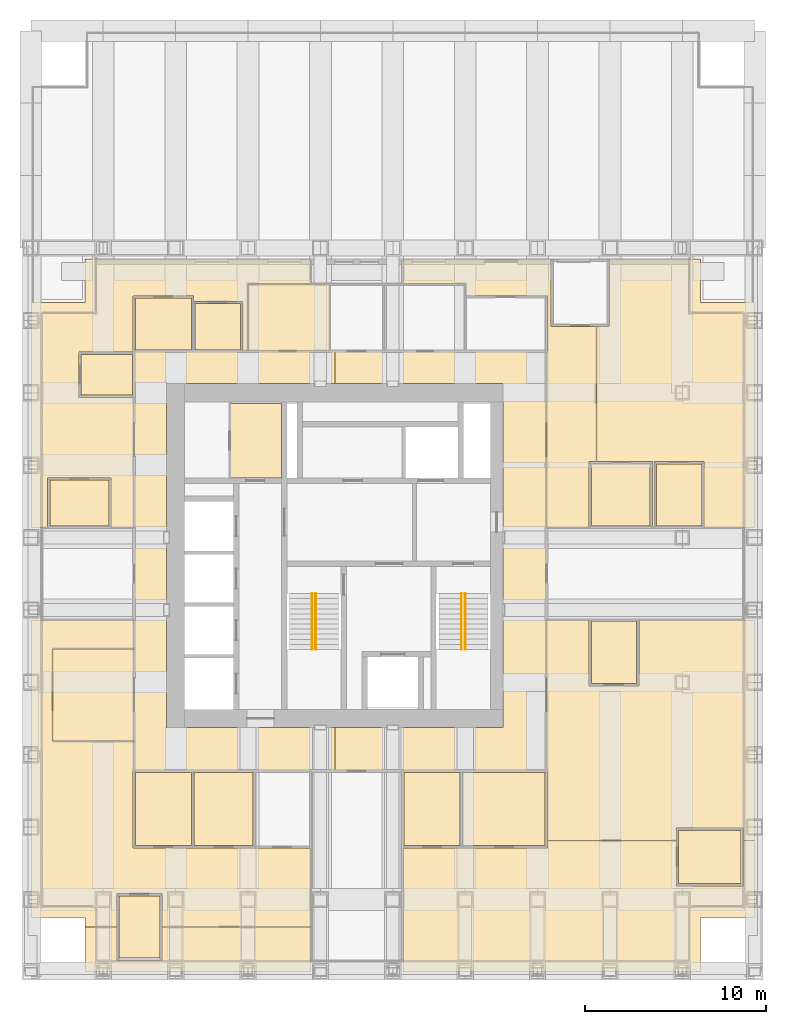
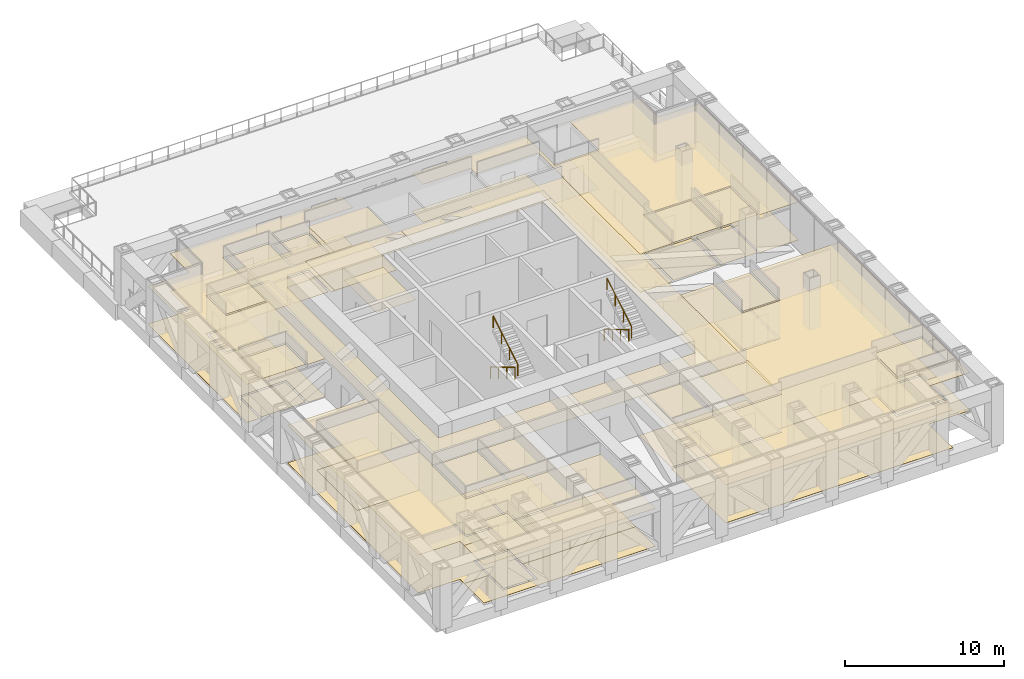
# One storey, part 15 of 17: 47 coverings, 4 railings.
"""IFC4 building model written with IfcOpenShell, lengths in metres."""

import ifcopenshell
import ifcopenshell.guid

model = None  # the IFC model being written
_history = None  # IfcOwnerHistory: only IFC2X3 demands one
_inside = {}  # id of a spatial element -> (the spatial element, [elements in it])
_under = {}  # id of a project, library or spatial element -> (it, [spatial elements below it])
_declared = {}  # id of a project -> (the project, [libraries it declares])
_typed = {}  # id of a type object -> (the type object, [elements of that type])
_made_of = {}  # id of a material, layer set ... -> (it, [elements and type objects made of it])


def new_model(schema):
    """Start an empty IFC model of exactly this schema.

    Asked for "IFC4X3", IfcOpenShell would pick the latest addendum, in which some entities
    have other attributes; the version numbers below select the first issue.
    IFC2X3 requires an IfcOwnerHistory on every rooted entity: one is made here for all.
    """
    global model, _history
    if schema == "IFC4X3":
        model = ifcopenshell.file(schema_version=(4, 3, 0, 0))
    else:
        model = ifcopenshell.file(schema=schema)
    _inside.clear()
    _under.clear()
    _declared.clear()
    _typed.clear()
    _made_of.clear()
    _history = None
    if model.schema == "IFC2X3":
        org = make("IfcOrganization", Name="unknown")
        user = make(
            "IfcPersonAndOrganization",
            ThePerson=make("IfcPerson", FamilyName="unknown"),
            TheOrganization=org,
        )
        app = make(
            "IfcApplication",
            ApplicationDeveloper=org,
            Version="unknown",
            ApplicationFullName="unknown",
            ApplicationIdentifier="unknown",
        )
        _history = make(
            "IfcOwnerHistory",
            OwningUser=user,
            OwningApplication=app,
            ChangeAction="ADDED",
            CreationDate=0,
        )
    return model


def make(cls, **values):
    """One entity of the class cls with the attributes given. An attribute that is None is left unset."""
    return model.create_entity(
        cls, **{name: value for name, value in values.items() if value is not None}
    )


def rooted(cls, **values):
    """An entity with a GlobalId (a new one), such as an element, a storey or a relation."""
    return make(cls, GlobalId=ifcopenshell.guid.new(), OwnerHistory=_history, **values)


def si_unit(unit_type, name, prefix=None):
    """IfcSIUnit, for example si_unit("LENGTHUNIT", "METRE", prefix="MILLI")."""
    return make("IfcSIUnit", UnitType=unit_type, Prefix=prefix, Name=name)


def assignment(units):
    """IfcUnitAssignment: the units of a project."""
    return None if units is None else make("IfcUnitAssignment", Units=units)


def point(xyz):
    """IfcCartesianPoint."""
    return None if xyz is None else make("IfcCartesianPoint", Coordinates=xyz)


def direction(xyz):
    """IfcDirection."""
    return None if xyz is None else make("IfcDirection", DirectionRatios=xyz)


def frame(location, z_axis=None, x_axis=None):
    """IfcAxis2Placement3D, a coordinate frame: its origin and axes. An axis left out is left unset."""
    return make(
        "IfcAxis2Placement3D",
        Location=point(location),
        Axis=direction(z_axis),
        RefDirection=direction(x_axis),
    )


def frame_2d(location, x_axis=None):
    """IfcAxis2Placement2D, a coordinate frame in the plane: its origin and x axis."""
    return make(
        "IfcAxis2Placement2D", Location=point(location), RefDirection=direction(x_axis)
    )


def origin():
    """The frame at (0, 0, 0) with its axes left unset."""
    return frame((0.0, 0.0, 0.0))


def origin_2d():
    """The frame at (0, 0) in the plane with its x axis left unset."""
    return frame_2d((0.0, 0.0))


def place(relative_to, where):
    """IfcLocalPlacement: puts the frame where relative to a parent placement (None: the world)."""
    return make(
        "IfcLocalPlacement", PlacementRelTo=relative_to, RelativePlacement=where
    )


def context(
    kind, dimensions, precision=None, world=None, true_north=None, identifier=None
):
    """IfcGeometricRepresentationContext, for example the 3D "Model" context."""
    return make(
        "IfcGeometricRepresentationContext",
        ContextIdentifier=identifier,
        ContextType=kind,
        CoordinateSpaceDimension=dimensions,
        Precision=precision,
        WorldCoordinateSystem=world,
        TrueNorth=true_north,
    )


def subcontext(parent, identifier, kind, view, scale=None):
    """IfcGeometricRepresentationSubContext, for example "Body" below "Model"."""
    return make(
        "IfcGeometricRepresentationSubContext",
        ContextIdentifier=identifier,
        ContextType=kind,
        ParentContext=parent,
        TargetScale=scale,
        TargetView=view,
    )


def project(units=None, contexts=None):
    """IfcProject with its units and contexts."""
    return rooted(
        "IfcProject",
        Name="project",
        RepresentationContexts=contexts,
        UnitsInContext=assignment(units),
    )


def spatial(cls, under=None, at=None, **own):
    """A site, building, storey or space (cls), placed at a placement, below another one or the project."""
    s = rooted(cls, ObjectPlacement=at, **own)
    if under is not None:
        _under.setdefault(under.id(), (under, []))[1].append(s)
    return s


def polyline(points):
    """IfcPolyline through the points."""
    return make("IfcPolyline", Points=[point(p) for p in points])


def profile(cls, at=None, kind="AREA", **sizes):
    """A parametric profile (cls). Its sizes go by their IFC names, for example OverallWidth=200.0."""
    return make(cls, ProfileType=kind, Position=at, **sizes)


def circle(**sizes):
    """IfcCircleProfileDef."""
    return profile("IfcCircleProfileDef", **sizes)


def outline(outer, holes=None, kind="AREA"):
    """IfcArbitraryClosedProfileDef: a profile drawn as a closed curve; with holes, ...WithVoids."""
    if holes is None:
        return make("IfcArbitraryClosedProfileDef", ProfileType=kind, OuterCurve=outer)
    return make(
        "IfcArbitraryProfileDefWithVoids",
        ProfileType=kind,
        OuterCurve=outer,
        InnerCurves=holes,
    )


def extrude(swept, where, along, depth):
    """IfcExtrudedAreaSolid: the profile swept, set in the frame where, extruded along a direction by depth."""
    return make(
        "IfcExtrudedAreaSolid",
        SweptArea=swept,
        Position=where,
        ExtrudedDirection=direction(along),
        Depth=depth,
    )


def shape(context_of_items, identifier, shape_type, items):
    """IfcShapeRepresentation: the items that make up one representation, for example the "Body"."""
    return make(
        "IfcShapeRepresentation",
        ContextOfItems=context_of_items,
        RepresentationIdentifier=identifier,
        RepresentationType=shape_type,
        Items=items,
    )


def material(Name=None, Category=None):
    """IfcMaterial."""
    return make("IfcMaterial", Name=Name, Category=Category)


def layer(
    of_material, thickness, ventilated=None, Name=None, Category=None, Priority=None
):
    """IfcMaterialLayer: one layer of a wall or slab, of a material (None: an air gap)."""
    return make(
        "IfcMaterialLayer",
        Material=of_material,
        LayerThickness=thickness,
        IsVentilated=ventilated,
        Name=Name,
        Category=Category,
        Priority=Priority,
    )


def layer_set(layers, Name=None):
    """IfcMaterialLayerSet."""
    return make("IfcMaterialLayerSet", MaterialLayers=layers, LayerSetName=Name)


def made_of(thing, what):
    """Note that an element or type object is made of a material, layer set ...; save() writes the relation."""
    if what is not None:
        _made_of.setdefault(what.id(), (what, []))[1].append(thing)
    return thing


def type_object(cls, material=None, **own):
    """A type object (cls), such as IfcWallType, which elements share."""
    return made_of(rooted(cls, **own), material)


def element(
    cls,
    number,
    at=None,
    inside=None,
    cuts=None,
    type_object=None,
    material=None,
    context=None,
    identifier="Body",
    shape_type=None,
    held_by="IfcProductDefinitionShape",
    body=None,
    shapes=None,
    **own,
):
    """One element of the class cls, such as IfcWall. Its Tag is "e" and its number.

    at: its placement. inside: the storey or other place that contains it. cuts: it is an
    opening in that element (IfcRelVoidsElement). A single representation is given by context,
    identifier, shape_type and body (its items); several are given by shapes. held_by: the class
    of the entity that holds the representations. save() writes the other relations.
    """
    e = rooted(cls, Tag="e%d" % number, ObjectPlacement=at, **own)
    if body is not None:
        shapes = [shape(context, identifier, shape_type, body)]
    if shapes is not None:
        e.Representation = make(held_by, Representations=shapes)
    if inside is not None:
        _inside.setdefault(inside.id(), (inside, []))[1].append(e)
    if cuts is not None:
        rooted(
            "IfcRelVoidsElement", RelatingBuildingElement=cuts, RelatedOpeningElement=e
        )
    if type_object is not None:
        _typed.setdefault(type_object.id(), (type_object, []))[1].append(e)
    return made_of(e, material)


def aggregate(whole, parts):
    """IfcRelAggregates: a whole, such as a stair, and the parts it consists of."""
    return rooted("IfcRelAggregates", RelatingObject=whole, RelatedObjects=parts)


def save(model, path):
    """Write the relations noted so far, then the file.

    IfcRelAggregates (storeys below a building ...), IfcRelContainedInSpatialStructure (elements
    in a storey), IfcRelDefinesByType, IfcRelAssociatesMaterial and IfcRelDeclares: one each for
    every whole, place, type object, material and project.
    """
    for whole, parts in _under.values():
        aggregate(whole, parts)
    for where, things in _inside.values():
        rooted(
            "IfcRelContainedInSpatialStructure",
            RelatedElements=things,
            RelatingStructure=where,
        )
    for kind, things in _typed.values():
        rooted("IfcRelDefinesByType", RelatedObjects=things, RelatingType=kind)
    for what, things in _made_of.values():
        rooted("IfcRelAssociatesMaterial", RelatedObjects=things, RelatingMaterial=what)
    for by, libraries in _declared.values():
        rooted("IfcRelDeclares", RelatingContext=by, RelatedDefinitions=libraries)
    model.write(path)


model = new_model("IFC4")

# Units and contexts
model_context = context("Model", 3, precision=1e-05, world=origin(), true_north=direction((0.0, 1.0)))
body_context = subcontext(model_context, "Body", "Model", "MODEL_VIEW")
ifc_project = project(units=[si_unit("LENGTHUNIT", "METRE"), si_unit("AREAUNIT", "SQUARE_METRE"), si_unit("VOLUMEUNIT", "CUBIC_METRE"), si_unit("PLANEANGLEUNIT", "RADIAN"), si_unit("MASSUNIT", "GRAM", prefix="KILO")], contexts=[model_context])

# Site, building, storey
site_placement = place(None, origin())
site = spatial("IfcSite", under=ifc_project, at=site_placement, CompositionType="ELEMENT")
building_placement = place(site_placement, origin())
building = spatial("IfcBuilding", under=site, at=building_placement, Name="Rimbunsela Tower", CompositionType="ELEMENT")
storey_placement = place(building_placement, frame((0.0, 0.0, 238.199951171875)))
storey = spatial("IfcBuildingStorey", under=building, at=storey_placement, Name="L57", CompositionType="ELEMENT", Elevation=238.199951171875)

# Coverings
ifc_material_1 = material(Name="Nylon carpet tile", Category="textile")
ifc_layer_1 = layer(ifc_material_1, 0.010009765625)
ifc_layer_set_1 = layer_set([ifc_layer_1], Name="Carpet tile 10")
covering_type_1 = type_object("IfcCoveringType", Name="Carpet tile 10", PredefinedType="FLOORING", material=ifc_layer_set_1)
covering_1_placement = place(storey_placement, origin())
element("IfcCovering", 1, at=covering_1_placement, inside=storey, type_object=covering_type_1, Name="Floor finish Open office", PredefinedType="FLOORING", context=body_context, shape_type="SweptSolid", body=[
    extrude(outline(polyline([(25.448974609375, 6.47998046875), (25.448974609375, 4.0), (15.699951171875, 4.0), (13.0, 4.0), (13.0, 6.47998046875), (14.75, 6.47998046875), (14.75, 4.6298828125), (15.699951171875, 4.6298828125), (17.25, 4.6298828125), (17.25, 6.47998046875), (25.448974609375, 6.47998046875)])), origin(), (0.0, 0.0, 1.0), 0.010009765625),
])
covering_2_placement = place(storey_placement, origin())
element("IfcCovering", 2, at=covering_2_placement, inside=storey, type_object=covering_type_1, Name="Floor finish Open office", PredefinedType="FLOORING", context=body_context, shape_type="SweptSolid", body=[
    extrude(outline(polyline([(19.0, 10.85009765625), (22.300048828125, 10.85009765625), (22.39990234375, 10.85009765625), (25.448974609375, 10.85009765625), (25.448974609375, 6.47998046875), (17.25, 6.47998046875), (17.25, 8.330078125), (15.699951171875, 8.330078125), (14.75, 8.330078125), (14.75, 6.47998046875), (13.0, 6.47998046875), (13.0, 7.0), (10.0, 7.0), (10.0, 23.448974609375), (15.699951171875, 23.448974609375), (15.699951171875, 21.84912109375), (11.199951171875, 21.84912109375), (11.199951171875, 16.7490234375), (15.699951171875, 16.7490234375), (15.699951171875, 15.14990234375), (15.64990234375, 15.14990234375), (15.64990234375, 10.85009765625), (15.699951171875, 10.85009765625), (18.89990234375, 10.85009765625), (19.0, 10.85009765625)])), origin(), (0.0, 0.0, 1.0), 0.010009765625),
])
covering_3_placement = place(storey_placement, origin())
element("IfcCovering", 3, at=covering_3_placement, inside=storey, type_object=covering_type_1, Name="Floor finish Open office", PredefinedType="FLOORING", context=body_context, shape_type="SweptSolid", body=[
    extrude(outline(polyline([(15.64990234375, 38.25), (12.64990234375, 38.25), (12.64990234375, 35.75), (15.699951171875, 35.75), (15.699951171875, 28.551025390625), (14.429931640625, 28.551025390625), (14.429931640625, 31.300048828125), (10.929931640625, 31.300048828125), (10.929931640625, 28.551025390625), (10.0, 28.551025390625), (10.0, 41.0), (13.0, 41.0), (13.0, 43.39990234375), (15.699951171875, 43.39990234375), (25.448974609375, 43.39990234375), (25.448974609375, 42.0), (22.0, 42.0), (22.0, 38.300048828125), (21.699951171875, 38.300048828125), (21.699951171875, 41.050048828125), (19.0, 41.050048828125), (19.0, 41.35009765625), (15.699951171875, 41.35009765625), (15.64990234375, 41.35009765625), (15.64990234375, 38.25)])), origin(), (0.0, 0.0, 1.0), 0.010009765625),
])
covering_4_placement = place(storey_placement, origin())
element("IfcCovering", 4, at=covering_4_placement, inside=storey, type_object=covering_type_1, Name="Floor finish Open office", PredefinedType="FLOORING", context=body_context, shape_type="SweptSolid", body=[
    extrude(outline(polyline([(30.551025390625, 10.85009765625), (33.7509765625, 10.85009765625), (33.85107421875, 10.85009765625), (38.5, 10.85009765625), (38.550048828125, 10.85009765625), (38.550048828125, 11.25), (45.669921875, 11.25), (45.669921875, 8.75), (49.3701171875, 8.75), (49.3701171875, 11.25), (50.0, 11.25), (50.0, 7.0), (47.0, 7.0), (47.0, 4.0), (38.5, 4.0), (30.551025390625, 4.0), (30.551025390625, 10.85009765625)])), origin(), (0.0, 0.0, 1.0), 0.010009765625),
])
covering_5_placement = place(storey_placement, origin())
element("IfcCovering", 5, at=covering_5_placement, inside=storey, type_object=covering_type_1, Name="Floor finish Open office", PredefinedType="FLOORING", context=body_context, shape_type="SweptSolid", body=[
    extrude(outline(polyline([(38.550048828125, 11.25), (38.550048828125, 15.14990234375), (38.5, 15.14990234375), (38.5, 23.448974609375), (40.85009765625, 23.448974609375), (40.85009765625, 19.800048828125), (43.60009765625, 19.800048828125), (43.60009765625, 23.448974609375), (50.0, 23.448974609375), (50.0, 11.25), (49.3701171875, 11.25), (49.3701171875, 11.949951171875), (45.669921875, 11.949951171875), (45.669921875, 11.25), (38.550048828125, 11.25)])), origin(), (0.0, 0.0, 1.0), 0.010009765625),
])
covering_6_placement = place(storey_placement, origin())
element("IfcCovering", 6, at=covering_6_placement, inside=storey, type_object=covering_type_1, Name="Floor finish Open office", PredefinedType="FLOORING", context=body_context, shape_type="SweptSolid", body=[
    extrude(outline(polyline([(41.25, 32.199951171875), (40.85009765625, 32.199951171875), (40.85009765625, 28.551025390625), (38.5, 28.551025390625), (38.5, 38.25), (38.550048828125, 38.25), (38.550048828125, 41.35009765625), (38.5, 41.35009765625), (34.0, 41.35009765625), (34.0, 42.0), (30.551025390625, 42.0), (30.551025390625, 43.39990234375), (38.5, 43.39990234375), (41.25, 43.39990234375), (41.25, 43.3701171875), (38.75, 43.3701171875), (38.75, 39.669921875), (41.25, 39.669921875), (41.25, 32.199951171875)])), origin(), (0.0, 0.0, 1.0), 0.010009765625),
])
covering_7_placement = place(storey_placement, origin())
element("IfcCovering", 7, at=covering_7_placement, inside=storey, type_object=covering_type_1, Name="Floor finish Open office", PredefinedType="FLOORING", context=body_context, shape_type="SweptSolid", body=[
    extrude(outline(polyline([(47.0, 41.0), (50.0, 41.0), (50.0, 28.551025390625), (47.199951171875, 28.551025390625), (47.199951171875, 32.199951171875), (44.449951171875, 32.199951171875), (44.449951171875, 28.551025390625), (44.35009765625, 28.551025390625), (44.35009765625, 32.199951171875), (41.25, 32.199951171875), (41.25, 39.669921875), (41.949951171875, 39.669921875), (41.949951171875, 43.3701171875), (41.25, 43.3701171875), (41.25, 43.39990234375), (47.0, 43.39990234375), (47.0, 41.0)])), origin(), (0.0, 0.0, 1.0), 0.010009765625),
])
covering_8_placement = place(storey_placement, origin())
element("IfcCovering", 8, at=covering_8_placement, inside=storey, type_object=covering_type_1, Name="Floor finish Reception", PredefinedType="FLOORING", context=body_context, shape_type="SweptSolid", body=[
    extrude(outline(polyline([(15.699951171875, 16.7490234375), (15.699951171875, 21.84912109375), (11.199951171875, 21.84912109375), (11.199951171875, 16.7490234375), (15.699951171875, 16.7490234375)])), origin(), (0.0, 0.0, 1.0), 0.010009765625),
])
covering_9_placement = place(storey_placement, origin())
element("IfcCovering", 9, at=covering_9_placement, inside=storey, type_object=covering_type_1, Name="Floor finish Interview room", PredefinedType="FLOORING", context=body_context, shape_type="SweptSolid", body=[
    extrude(outline(polyline([(18.875, 10.97509765625), (18.875, 15.02490234375), (15.77490234375, 15.02490234375), (15.77490234375, 10.97509765625), (18.875, 10.97509765625)])), origin(), (0.0, 0.0, 1.0), 0.010009765625),
])
covering_10_placement = place(storey_placement, origin())
element("IfcCovering", 10, at=covering_10_placement, inside=storey, type_object=covering_type_1, Name="Floor finish Pantry", PredefinedType="FLOORING", context=body_context, shape_type="SweptSolid", body=[
    extrude(outline(polyline([(22.27490234375, 10.97509765625), (22.27490234375, 15.02490234375), (19.02490234375, 15.02490234375), (19.02490234375, 10.97509765625), (22.27490234375, 10.97509765625)])), origin(), (0.0, 0.0, 1.0), 0.010009765625),
])
covering_11_placement = place(storey_placement, origin())
element("IfcCovering", 11, at=covering_11_placement, inside=storey, type_object=covering_type_1, Name="Floor finish Interview room", PredefinedType="FLOORING", context=body_context, shape_type="SweptSolid", body=[
    extrude(outline(polyline([(18.875, 38.375), (18.875, 41.22509765625), (15.77490234375, 41.22509765625), (15.77490234375, 38.375), (18.875, 38.375)])), origin(), (0.0, 0.0, 1.0), 0.010009765625),
])
covering_12_placement = place(storey_placement, origin())
element("IfcCovering", 12, at=covering_12_placement, inside=storey, type_object=covering_type_1, Name="Floor finish Interview room", PredefinedType="FLOORING", context=body_context, shape_type="SweptSolid", body=[
    extrude(outline(polyline([(33.72607421875, 10.97509765625), (33.72607421875, 15.02490234375), (30.6259765625, 15.02490234375), (30.6259765625, 10.97509765625), (33.72607421875, 10.97509765625)])), origin(), (0.0, 0.0, 1.0), 0.010009765625),
])
covering_13_placement = place(storey_placement, origin())
element("IfcCovering", 13, at=covering_13_placement, inside=storey, type_object=covering_type_1, Name="Floor finish Pantry", PredefinedType="FLOORING", context=body_context, shape_type="SweptSolid", body=[
    extrude(outline(polyline([(38.425048828125, 10.97509765625), (38.425048828125, 15.02490234375), (33.8759765625, 15.02490234375), (33.8759765625, 10.97509765625), (38.425048828125, 10.97509765625)])), origin(), (0.0, 0.0, 1.0), 0.010009765625),
])
covering_14_placement = place(storey_placement, origin())
element("IfcCovering", 14, at=covering_14_placement, inside=storey, type_object=covering_type_1, Name="Floor finish Office", PredefinedType="FLOORING", context=body_context, shape_type="SweptSolid", body=[
    extrude(outline(polyline([(17.125, 4.7548828125), (17.125, 8.205078125), (14.875, 8.205078125), (14.875, 4.7548828125), (17.125, 4.7548828125)])), origin(), (0.0, 0.0, 1.0), 0.010009765625),
])
covering_15_placement = place(storey_placement, origin())
element("IfcCovering", 15, at=covering_15_placement, inside=storey, type_object=covering_type_1, Name="Floor finish Pantry", PredefinedType="FLOORING", context=body_context, shape_type="SweptSolid", body=[
    extrude(outline(polyline([(14.304931640625, 28.625), (14.304931640625, 31.175048828125), (11.054931640625, 31.175048828125), (11.054931640625, 28.625), (14.304931640625, 28.625)])), origin(), (0.0, 0.0, 1.0), 0.010009765625),
])
covering_16_placement = place(storey_placement, origin())
element("IfcCovering", 16, at=covering_16_placement, inside=storey, type_object=covering_type_1, Name="Floor finish Print and copy room", PredefinedType="FLOORING", context=body_context, shape_type="SweptSolid", body=[
    extrude(outline(polyline([(21.574951171875, 38.375), (21.574951171875, 40.925048828125), (19.074951171875, 40.925048828125), (19.074951171875, 38.375), (21.574951171875, 38.375)])), origin(), (0.0, 0.0, 1.0), 0.010009765625),
])
covering_17_placement = place(storey_placement, origin())
element("IfcCovering", 17, at=covering_17_placement, inside=storey, type_object=covering_type_1, Name="Floor finish Office", PredefinedType="FLOORING", context=body_context, shape_type="SweptSolid", body=[
    extrude(outline(polyline([(15.625, 35.875), (15.625, 38.125), (12.77490234375, 38.125), (12.77490234375, 35.875), (15.625, 35.875)])), origin(), (0.0, 0.0, 1.0), 0.010009765625),
])
covering_18_placement = place(storey_placement, origin())
element("IfcCovering", 18, at=covering_18_placement, inside=storey, type_object=covering_type_1, Name="Floor finish Print and copy room", PredefinedType="FLOORING", context=body_context, shape_type="SweptSolid", body=[
    extrude(outline(polyline([(43.47509765625, 19.925048828125), (43.47509765625, 23.375), (40.97509765625, 23.375), (40.97509765625, 19.925048828125), (43.47509765625, 19.925048828125)])), origin(), (0.0, 0.0, 1.0), 0.010009765625),
])
covering_19_placement = place(storey_placement, origin())
element("IfcCovering", 19, at=covering_19_placement, inside=storey, type_object=covering_type_1, Name="Floor finish Office", PredefinedType="FLOORING", context=body_context, shape_type="SweptSolid", body=[
    extrude(outline(polyline([(49.2451171875, 8.875), (49.2451171875, 11.824951171875), (45.794921875, 11.824951171875), (45.794921875, 8.875), (49.2451171875, 8.875)])), origin(), (0.0, 0.0, 1.0), 0.010009765625),
])
covering_20_placement = place(storey_placement, origin())
element("IfcCovering", 20, at=covering_20_placement, inside=storey, type_object=covering_type_1, Name="Floor finish Pantry", PredefinedType="FLOORING", context=body_context, shape_type="SweptSolid", body=[
    extrude(outline(polyline([(44.22509765625, 28.625), (44.22509765625, 32.074951171875), (40.97509765625, 32.074951171875), (40.97509765625, 28.625), (44.22509765625, 28.625)])), origin(), (0.0, 0.0, 1.0), 0.010009765625),
])
covering_21_placement = place(storey_placement, origin())
element("IfcCovering", 21, at=covering_21_placement, inside=storey, type_object=covering_type_1, Name="Floor finish Print and copy room", PredefinedType="FLOORING", context=body_context, shape_type="SweptSolid", body=[
    extrude(outline(polyline([(47.074951171875, 28.625), (47.074951171875, 32.074951171875), (44.574951171875, 32.074951171875), (44.574951171875, 28.625), (47.074951171875, 28.625)])), origin(), (0.0, 0.0, 1.0), 0.010009765625),
])
ifc_material_2 = material(Name="Mineral fibre ceiling tile", Category="gypsum")
ifc_layer_2 = layer(ifc_material_2, 0.02001953125)
ifc_layer_set_2 = layer_set([ifc_layer_2], Name="Ceiling 600 grid")
covering_type_2 = type_object("IfcCoveringType", Name="Ceiling 600 grid", PredefinedType="CEILING", material=ifc_layer_set_2)
covering_22_placement = place(storey_placement, frame((0.0, 0.0, 2.900146484375)))
element("IfcCovering", 22, at=covering_22_placement, inside=storey, type_object=covering_type_2, Name="Ceiling IT room", PredefinedType="CEILING", context=body_context, shape_type="SweptSolid", body=[
    extrude(outline(polyline([(23.85009765625, 31.300048828125), (23.85009765625, 35.39990234375), (21.0, 35.39990234375), (21.0, 31.300048828125), (23.85009765625, 31.300048828125)])), origin(), (0.0, 0.0, 1.0), 0.02001953125),
])
covering_23_placement = place(storey_placement, frame((0.0, 0.0, 2.900146484375)))
element("IfcCovering", 23, at=covering_23_placement, inside=storey, type_object=covering_type_2, Name="Ceiling Ring corridor", PredefinedType="CEILING", context=body_context, shape_type="SweptSolid", body=[
    extrude(outline(polyline([(15.699951171875, 38.300048828125), (26.800048828125, 38.300048828125), (26.800048828125, 36.5), (17.5, 36.5), (17.5, 17.5), (26.800048828125, 17.5), (26.800048828125, 15.10009765625), (15.699951171875, 15.10009765625), (15.699951171875, 38.300048828125)])), origin(), (0.0, 0.0, 1.0), 0.02001953125),
])
covering_24_placement = place(storey_placement, frame((0.0, 0.0, 2.900146484375)))
element("IfcCovering", 24, at=covering_24_placement, inside=storey, type_object=covering_type_2, Name="Ceiling Ring corridor", PredefinedType="CEILING", context=body_context, shape_type="SweptSolid", body=[
    extrude(outline(polyline([(38.5, 38.300048828125), (38.5, 15.10009765625), (26.800048828125, 15.10009765625), (26.800048828125, 17.5), (36.10009765625, 17.5), (36.10009765625, 36.5), (26.800048828125, 36.5), (26.800048828125, 38.300048828125), (38.5, 38.300048828125)])), origin(), (0.0, 0.0, 1.0), 0.02001953125),
])
covering_25_placement = place(storey_placement, frame((0.0, 0.0, 2.900146484375)))
element("IfcCovering", 25, at=covering_25_placement, inside=storey, type_object=covering_type_2, Name="Ceiling Open office", PredefinedType="CEILING", context=body_context, shape_type="SweptSolid", body=[
    extrude(outline(polyline([(25.448974609375, 6.47998046875), (25.448974609375, 4.0), (15.699951171875, 4.0), (13.0, 4.0), (13.0, 6.47998046875), (14.75, 6.47998046875), (14.75, 4.6298828125), (15.699951171875, 4.6298828125), (17.25, 4.6298828125), (17.25, 6.47998046875), (25.448974609375, 6.47998046875)])), origin(), (0.0, 0.0, 1.0), 0.02001953125),
])
covering_26_placement = place(storey_placement, frame((0.0, 0.0, 2.900146484375)))
element("IfcCovering", 26, at=covering_26_placement, inside=storey, type_object=covering_type_2, Name="Ceiling Open office", PredefinedType="CEILING", context=body_context, shape_type="SweptSolid", body=[
    extrude(outline(polyline([(19.0, 10.85009765625), (22.300048828125, 10.85009765625), (22.39990234375, 10.85009765625), (25.448974609375, 10.85009765625), (25.448974609375, 6.47998046875), (17.25, 6.47998046875), (17.25, 8.330078125), (15.699951171875, 8.330078125), (14.75, 8.330078125), (14.75, 6.47998046875), (13.0, 6.47998046875), (13.0, 7.0), (10.0, 7.0), (10.0, 23.448974609375), (15.699951171875, 23.448974609375), (15.699951171875, 21.84912109375), (11.199951171875, 21.84912109375), (11.199951171875, 16.7490234375), (15.699951171875, 16.7490234375), (15.699951171875, 15.14990234375), (15.64990234375, 15.14990234375), (15.64990234375, 10.85009765625), (15.699951171875, 10.85009765625), (18.89990234375, 10.85009765625), (19.0, 10.85009765625)])), origin(), (0.0, 0.0, 1.0), 0.02001953125),
])
covering_27_placement = place(storey_placement, frame((0.0, 0.0, 2.900146484375)))
element("IfcCovering", 27, at=covering_27_placement, inside=storey, type_object=covering_type_2, Name="Ceiling Open office", PredefinedType="CEILING", context=body_context, shape_type="SweptSolid", body=[
    extrude(outline(polyline([(15.64990234375, 38.25), (12.64990234375, 38.25), (12.64990234375, 35.75), (15.699951171875, 35.75), (15.699951171875, 28.551025390625), (14.429931640625, 28.551025390625), (14.429931640625, 31.300048828125), (10.929931640625, 31.300048828125), (10.929931640625, 28.551025390625), (10.0, 28.551025390625), (10.0, 41.0), (13.0, 41.0), (13.0, 43.39990234375), (15.699951171875, 43.39990234375), (25.448974609375, 43.39990234375), (25.448974609375, 42.0), (22.0, 42.0), (22.0, 38.300048828125), (21.699951171875, 38.300048828125), (21.699951171875, 41.050048828125), (19.0, 41.050048828125), (19.0, 41.35009765625), (15.699951171875, 41.35009765625), (15.64990234375, 41.35009765625), (15.64990234375, 38.25)])), origin(), (0.0, 0.0, 1.0), 0.02001953125),
])
covering_28_placement = place(storey_placement, frame((0.0, 0.0, 2.900146484375)))
element("IfcCovering", 28, at=covering_28_placement, inside=storey, type_object=covering_type_2, Name="Ceiling Open office", PredefinedType="CEILING", context=body_context, shape_type="SweptSolid", body=[
    extrude(outline(polyline([(30.551025390625, 10.85009765625), (33.7509765625, 10.85009765625), (33.85107421875, 10.85009765625), (38.5, 10.85009765625), (38.550048828125, 10.85009765625), (38.550048828125, 11.25), (45.669921875, 11.25), (45.669921875, 8.75), (49.3701171875, 8.75), (49.3701171875, 11.25), (50.0, 11.25), (50.0, 7.0), (47.0, 7.0), (47.0, 4.0), (38.5, 4.0), (30.551025390625, 4.0), (30.551025390625, 10.85009765625)])), origin(), (0.0, 0.0, 1.0), 0.02001953125),
])
covering_29_placement = place(storey_placement, frame((0.0, 0.0, 2.900146484375)))
element("IfcCovering", 29, at=covering_29_placement, inside=storey, type_object=covering_type_2, Name="Ceiling Open office", PredefinedType="CEILING", context=body_context, shape_type="SweptSolid", body=[
    extrude(outline(polyline([(38.550048828125, 11.25), (38.550048828125, 15.14990234375), (38.5, 15.14990234375), (38.5, 23.448974609375), (40.85009765625, 23.448974609375), (40.85009765625, 19.800048828125), (43.60009765625, 19.800048828125), (43.60009765625, 23.448974609375), (50.0, 23.448974609375), (50.0, 11.25), (49.3701171875, 11.25), (49.3701171875, 11.949951171875), (45.669921875, 11.949951171875), (45.669921875, 11.25), (38.550048828125, 11.25)])), origin(), (0.0, 0.0, 1.0), 0.02001953125),
])
covering_30_placement = place(storey_placement, frame((0.0, 0.0, 2.900146484375)))
element("IfcCovering", 30, at=covering_30_placement, inside=storey, type_object=covering_type_2, Name="Ceiling Open office", PredefinedType="CEILING", context=body_context, shape_type="SweptSolid", body=[
    extrude(outline(polyline([(41.25, 32.199951171875), (40.85009765625, 32.199951171875), (40.85009765625, 28.551025390625), (38.5, 28.551025390625), (38.5, 38.25), (38.550048828125, 38.25), (38.550048828125, 41.35009765625), (38.5, 41.35009765625), (34.0, 41.35009765625), (34.0, 42.0), (30.551025390625, 42.0), (30.551025390625, 43.39990234375), (38.5, 43.39990234375), (41.25, 43.39990234375), (41.25, 43.3701171875), (38.75, 43.3701171875), (38.75, 39.669921875), (41.25, 39.669921875), (41.25, 32.199951171875)])), origin(), (0.0, 0.0, 1.0), 0.02001953125),
])
covering_31_placement = place(storey_placement, frame((0.0, 0.0, 2.900146484375)))
element("IfcCovering", 31, at=covering_31_placement, inside=storey, type_object=covering_type_2, Name="Ceiling Open office", PredefinedType="CEILING", context=body_context, shape_type="SweptSolid", body=[
    extrude(outline(polyline([(47.0, 41.0), (50.0, 41.0), (50.0, 28.551025390625), (47.199951171875, 28.551025390625), (47.199951171875, 32.199951171875), (44.449951171875, 32.199951171875), (44.449951171875, 28.551025390625), (44.35009765625, 28.551025390625), (44.35009765625, 32.199951171875), (41.25, 32.199951171875), (41.25, 39.669921875), (41.949951171875, 39.669921875), (41.949951171875, 43.3701171875), (41.25, 43.3701171875), (41.25, 43.39990234375), (47.0, 43.39990234375), (47.0, 41.0)])), origin(), (0.0, 0.0, 1.0), 0.02001953125),
])
covering_32_placement = place(storey_placement, frame((0.0, 0.0, 2.900146484375)))
element("IfcCovering", 32, at=covering_32_placement, inside=storey, type_object=covering_type_2, Name="Ceiling Reception", PredefinedType="CEILING", context=body_context, shape_type="SweptSolid", body=[
    extrude(outline(polyline([(15.699951171875, 16.7490234375), (15.699951171875, 21.84912109375), (11.199951171875, 21.84912109375), (11.199951171875, 16.7490234375), (15.699951171875, 16.7490234375)])), origin(), (0.0, 0.0, 1.0), 0.02001953125),
])
covering_33_placement = place(storey_placement, frame((0.0, 0.0, 2.900146484375)))
element("IfcCovering", 33, at=covering_33_placement, inside=storey, type_object=covering_type_2, Name="Ceiling Interview room", PredefinedType="CEILING", context=body_context, shape_type="SweptSolid", body=[
    extrude(outline(polyline([(18.875, 10.97509765625), (18.875, 15.02490234375), (15.77490234375, 15.02490234375), (15.77490234375, 10.97509765625), (18.875, 10.97509765625)])), origin(), (0.0, 0.0, 1.0), 0.02001953125),
])
covering_34_placement = place(storey_placement, frame((0.0, 0.0, 2.900146484375)))
element("IfcCovering", 34, at=covering_34_placement, inside=storey, type_object=covering_type_2, Name="Ceiling Pantry", PredefinedType="CEILING", context=body_context, shape_type="SweptSolid", body=[
    extrude(outline(polyline([(22.27490234375, 10.97509765625), (22.27490234375, 15.02490234375), (19.02490234375, 15.02490234375), (19.02490234375, 10.97509765625), (22.27490234375, 10.97509765625)])), origin(), (0.0, 0.0, 1.0), 0.02001953125),
])
covering_35_placement = place(storey_placement, frame((0.0, 0.0, 2.900146484375)))
element("IfcCovering", 35, at=covering_35_placement, inside=storey, type_object=covering_type_2, Name="Ceiling Interview room", PredefinedType="CEILING", context=body_context, shape_type="SweptSolid", body=[
    extrude(outline(polyline([(18.875, 38.375), (18.875, 41.22509765625), (15.77490234375, 41.22509765625), (15.77490234375, 38.375), (18.875, 38.375)])), origin(), (0.0, 0.0, 1.0), 0.02001953125),
])
covering_36_placement = place(storey_placement, frame((0.0, 0.0, 2.900146484375)))
element("IfcCovering", 36, at=covering_36_placement, inside=storey, type_object=covering_type_2, Name="Ceiling Interview room", PredefinedType="CEILING", context=body_context, shape_type="SweptSolid", body=[
    extrude(outline(polyline([(33.72607421875, 10.97509765625), (33.72607421875, 15.02490234375), (30.6259765625, 15.02490234375), (30.6259765625, 10.97509765625), (33.72607421875, 10.97509765625)])), origin(), (0.0, 0.0, 1.0), 0.02001953125),
])
covering_37_placement = place(storey_placement, frame((0.0, 0.0, 2.900146484375)))
element("IfcCovering", 37, at=covering_37_placement, inside=storey, type_object=covering_type_2, Name="Ceiling Pantry", PredefinedType="CEILING", context=body_context, shape_type="SweptSolid", body=[
    extrude(outline(polyline([(38.425048828125, 10.97509765625), (38.425048828125, 15.02490234375), (33.8759765625, 15.02490234375), (33.8759765625, 10.97509765625), (38.425048828125, 10.97509765625)])), origin(), (0.0, 0.0, 1.0), 0.02001953125),
])
covering_38_placement = place(storey_placement, frame((0.0, 0.0, 2.900146484375)))
element("IfcCovering", 38, at=covering_38_placement, inside=storey, type_object=covering_type_2, Name="Ceiling Office", PredefinedType="CEILING", context=body_context, shape_type="SweptSolid", body=[
    extrude(outline(polyline([(17.125, 4.7548828125), (17.125, 8.205078125), (14.875, 8.205078125), (14.875, 4.7548828125), (17.125, 4.7548828125)])), origin(), (0.0, 0.0, 1.0), 0.02001953125),
])
covering_39_placement = place(storey_placement, frame((0.0, 0.0, 2.900146484375)))
element("IfcCovering", 39, at=covering_39_placement, inside=storey, type_object=covering_type_2, Name="Ceiling Pantry", PredefinedType="CEILING", context=body_context, shape_type="SweptSolid", body=[
    extrude(outline(polyline([(14.304931640625, 28.625), (14.304931640625, 31.175048828125), (11.054931640625, 31.175048828125), (11.054931640625, 28.625), (14.304931640625, 28.625)])), origin(), (0.0, 0.0, 1.0), 0.02001953125),
])
covering_40_placement = place(storey_placement, frame((0.0, 0.0, 2.900146484375)))
element("IfcCovering", 40, at=covering_40_placement, inside=storey, type_object=covering_type_2, Name="Ceiling Print and copy room", PredefinedType="CEILING", context=body_context, shape_type="SweptSolid", body=[
    extrude(outline(polyline([(21.574951171875, 38.375), (21.574951171875, 40.925048828125), (19.074951171875, 40.925048828125), (19.074951171875, 38.375), (21.574951171875, 38.375)])), origin(), (0.0, 0.0, 1.0), 0.02001953125),
])
covering_41_placement = place(storey_placement, frame((0.0, 0.0, 2.900146484375)))
element("IfcCovering", 41, at=covering_41_placement, inside=storey, type_object=covering_type_2, Name="Ceiling Office", PredefinedType="CEILING", context=body_context, shape_type="SweptSolid", body=[
    extrude(outline(polyline([(15.625, 35.875), (15.625, 38.125), (12.77490234375, 38.125), (12.77490234375, 35.875), (15.625, 35.875)])), origin(), (0.0, 0.0, 1.0), 0.02001953125),
])
covering_42_placement = place(storey_placement, frame((0.0, 0.0, 2.900146484375)))
element("IfcCovering", 42, at=covering_42_placement, inside=storey, type_object=covering_type_2, Name="Ceiling Print and copy room", PredefinedType="CEILING", context=body_context, shape_type="SweptSolid", body=[
    extrude(outline(polyline([(43.47509765625, 19.925048828125), (43.47509765625, 23.375), (40.97509765625, 23.375), (40.97509765625, 19.925048828125), (43.47509765625, 19.925048828125)])), origin(), (0.0, 0.0, 1.0), 0.02001953125),
])
covering_43_placement = place(storey_placement, frame((0.0, 0.0, 2.900146484375)))
element("IfcCovering", 43, at=covering_43_placement, inside=storey, type_object=covering_type_2, Name="Ceiling Office", PredefinedType="CEILING", context=body_context, shape_type="SweptSolid", body=[
    extrude(outline(polyline([(49.2451171875, 8.875), (49.2451171875, 11.824951171875), (45.794921875, 11.824951171875), (45.794921875, 8.875), (49.2451171875, 8.875)])), origin(), (0.0, 0.0, 1.0), 0.02001953125),
])
covering_44_placement = place(storey_placement, frame((0.0, 0.0, 2.900146484375)))
element("IfcCovering", 44, at=covering_44_placement, inside=storey, type_object=covering_type_2, Name="Ceiling Pantry", PredefinedType="CEILING", context=body_context, shape_type="SweptSolid", body=[
    extrude(outline(polyline([(44.22509765625, 28.625), (44.22509765625, 32.074951171875), (40.97509765625, 32.074951171875), (40.97509765625, 28.625), (44.22509765625, 28.625)])), origin(), (0.0, 0.0, 1.0), 0.02001953125),
])
covering_45_placement = place(storey_placement, frame((0.0, 0.0, 2.900146484375)))
element("IfcCovering", 45, at=covering_45_placement, inside=storey, type_object=covering_type_2, Name="Ceiling Print and copy room", PredefinedType="CEILING", context=body_context, shape_type="SweptSolid", body=[
    extrude(outline(polyline([(47.074951171875, 28.625), (47.074951171875, 32.074951171875), (44.574951171875, 32.074951171875), (44.574951171875, 28.625), (47.074951171875, 28.625)])), origin(), (0.0, 0.0, 1.0), 0.02001953125),
])
ifc_material_3 = material(Name="Moisture-resistant plasterboard ceiling", Category="gypsum")
ifc_layer_3 = layer(ifc_material_3, 0.012451171875)
ifc_layer_set_3 = layer_set([ifc_layer_3], Name="Ceiling moisture-resistant board")
covering_type_3 = type_object("IfcCoveringType", Name="Ceiling moisture-resistant board", PredefinedType="CEILING", material=ifc_layer_set_3)
covering_46_placement = place(storey_placement, frame((0.0, 0.0, 2.60009765625)))
element("IfcCovering", 46, at=covering_46_placement, inside=storey, type_object=covering_type_3, Name="Ceiling Female WC", PredefinedType="CEILING", context=body_context, shape_type="SweptSolid", body=[
    extrude(outline(polyline([(26.5, 38.300048828125), (26.5, 42.0), (22.0, 42.0), (22.0, 38.300048828125), (26.5, 38.300048828125)])), origin(), (0.0, 0.0, 1.0), 0.02001953125),
])
ifc_material_4 = material(Name="Porcelain floor tile in adhesive bed", Category="ceramic")
ifc_layer_4 = layer(ifc_material_4, 0.02001953125)
ifc_layer_set_4 = layer_set([ifc_layer_4], Name="Porcelain tile 20")
covering_type_4 = type_object("IfcCoveringType", Name="Porcelain tile 20", PredefinedType="FLOORING", material=ifc_layer_set_4)
covering_47_placement = place(storey_placement, origin())
element("IfcCovering", 47, at=covering_47_placement, inside=storey, type_object=covering_type_4, Name="Floor finish Female WC", PredefinedType="FLOORING", context=body_context, shape_type="SweptSolid", body=[
    extrude(outline(polyline([(26.5, 38.300048828125), (26.5, 42.0), (22.0, 42.0), (22.0, 38.300048828125), (26.5, 38.300048828125)])), origin(), (0.0, 0.0, 1.0), 0.02001953125),
])

# Railings
ifc_material_5 = material(Name="Stainless steel tube", Category="steel")
railing_type = type_object("IfcRailingType", Name="Stair handrail 900", PredefinedType="HANDRAIL", material=ifc_material_5)
railing_1_placement = place(storey_placement, frame((25.550048828125, 24.89990234375, 0.166748046875)))
element("IfcRailing", 48, at=railing_1_placement, inside=storey, type_object=railing_type, Name="Handrail ST-A flight 1", PredefinedType="HANDRAIL", context=body_context, shape_type="SweptSolid", body=[
    extrude(circle(Radius=0.02392578125, at=origin_2d()), frame((0.0, 0.0, 0.8759765625), z_axis=(0.0, -0.859290745958, 0.51148745235), x_axis=(1.0, 0.0, 0.0)), (0.0, 0.0, 1.0), 3.584228515625),
    extrude(circle(Radius=0.02099609375, at=origin_2d()), origin(), (0.0, 0.0, 1.0), 0.851806640625),
    extrude(circle(Radius=0.02099609375, at=origin_2d()), frame((0.0, -1.026611328125, 0.611083984375)), (0.0, 0.0, 1.0), 0.851806640625),
    extrude(circle(Radius=0.02099609375, at=origin_2d()), frame((0.0, -2.05322265625, 1.22216796875)), (0.0, 0.0, 1.0), 0.851806640625),
    extrude(circle(Radius=0.02099609375, at=origin_2d()), frame((0.0, -3.079833984375, 1.833251953125)), (0.0, 0.0, 1.0), 0.851806640625),
])
railing_2_placement = place(storey_placement, frame((25.75, 21.820068359375, 2.166748046875)))
element("IfcRailing", 49, at=railing_2_placement, inside=storey, type_object=railing_type, Name="Handrail ST-A flight 2", PredefinedType="HANDRAIL", context=body_context, shape_type="SweptSolid", body=[
    extrude(circle(Radius=0.02392578125, at=origin_2d()), frame((0.0, 0.0, 0.8759765625), z_axis=(0.0, 0.859290745958, 0.51148745235), x_axis=(-1.0, 0.0, 0.0)), (0.0, 0.0, 1.0), 3.584228515625),
    extrude(circle(Radius=0.02099609375, at=origin_2d()), origin(), (0.0, 0.0, 1.0), 0.851806640625),
    extrude(circle(Radius=0.02099609375, at=origin_2d()), frame((0.0, 1.026611328125, 0.611083984375)), (0.0, 0.0, 1.0), 0.851806640625),
    extrude(circle(Radius=0.02099609375, at=origin_2d()), frame((0.0, 2.05322265625, 1.22216796875)), (0.0, 0.0, 1.0), 0.851806640625),
    extrude(circle(Radius=0.02099609375, at=origin_2d()), frame((0.0, 3.079833984375, 1.833251953125)), (0.0, 0.0, 1.0), 0.851806640625),
])
railing_3_placement = place(storey_placement, frame((33.800048828125, 24.89990234375, 0.166748046875)))
element("IfcRailing", 50, at=railing_3_placement, inside=storey, type_object=railing_type, Name="Handrail ST-B flight 1", PredefinedType="HANDRAIL", context=body_context, shape_type="SweptSolid", body=[
    extrude(circle(Radius=0.02392578125, at=origin_2d()), frame((0.0, 0.0, 0.8759765625), z_axis=(0.0, -0.859290745958, 0.51148745235), x_axis=(1.0, 0.0, 0.0)), (0.0, 0.0, 1.0), 3.584228515625),
    extrude(circle(Radius=0.02099609375, at=origin_2d()), origin(), (0.0, 0.0, 1.0), 0.851806640625),
    extrude(circle(Radius=0.02099609375, at=origin_2d()), frame((0.0, -1.026611328125, 0.611083984375)), (0.0, 0.0, 1.0), 0.851806640625),
    extrude(circle(Radius=0.02099609375, at=origin_2d()), frame((0.0, -2.05322265625, 1.22216796875)), (0.0, 0.0, 1.0), 0.851806640625),
    extrude(circle(Radius=0.02099609375, at=origin_2d()), frame((0.0, -3.079833984375, 1.833251953125)), (0.0, 0.0, 1.0), 0.851806640625),
])
railing_4_placement = place(storey_placement, frame((34.0, 21.820068359375, 2.166748046875)))
element("IfcRailing", 51, at=railing_4_placement, inside=storey, type_object=railing_type, Name="Handrail ST-B flight 2", PredefinedType="HANDRAIL", context=body_context, shape_type="SweptSolid", body=[
    extrude(circle(Radius=0.02392578125, at=origin_2d()), frame((0.0, 0.0, 0.8759765625), z_axis=(0.0, 0.859290745958, 0.51148745235), x_axis=(-1.0, 0.0, 0.0)), (0.0, 0.0, 1.0), 3.584228515625),
    extrude(circle(Radius=0.02099609375, at=origin_2d()), origin(), (0.0, 0.0, 1.0), 0.851806640625),
    extrude(circle(Radius=0.02099609375, at=origin_2d()), frame((0.0, 1.026611328125, 0.611083984375)), (0.0, 0.0, 1.0), 0.851806640625),
    extrude(circle(Radius=0.02099609375, at=origin_2d()), frame((0.0, 2.05322265625, 1.22216796875)), (0.0, 0.0, 1.0), 0.851806640625),
    extrude(circle(Radius=0.02099609375, at=origin_2d()), frame((0.0, 3.079833984375, 1.833251953125)), (0.0, 0.0, 1.0), 0.851806640625),
])

save(model, "model.ifc")
